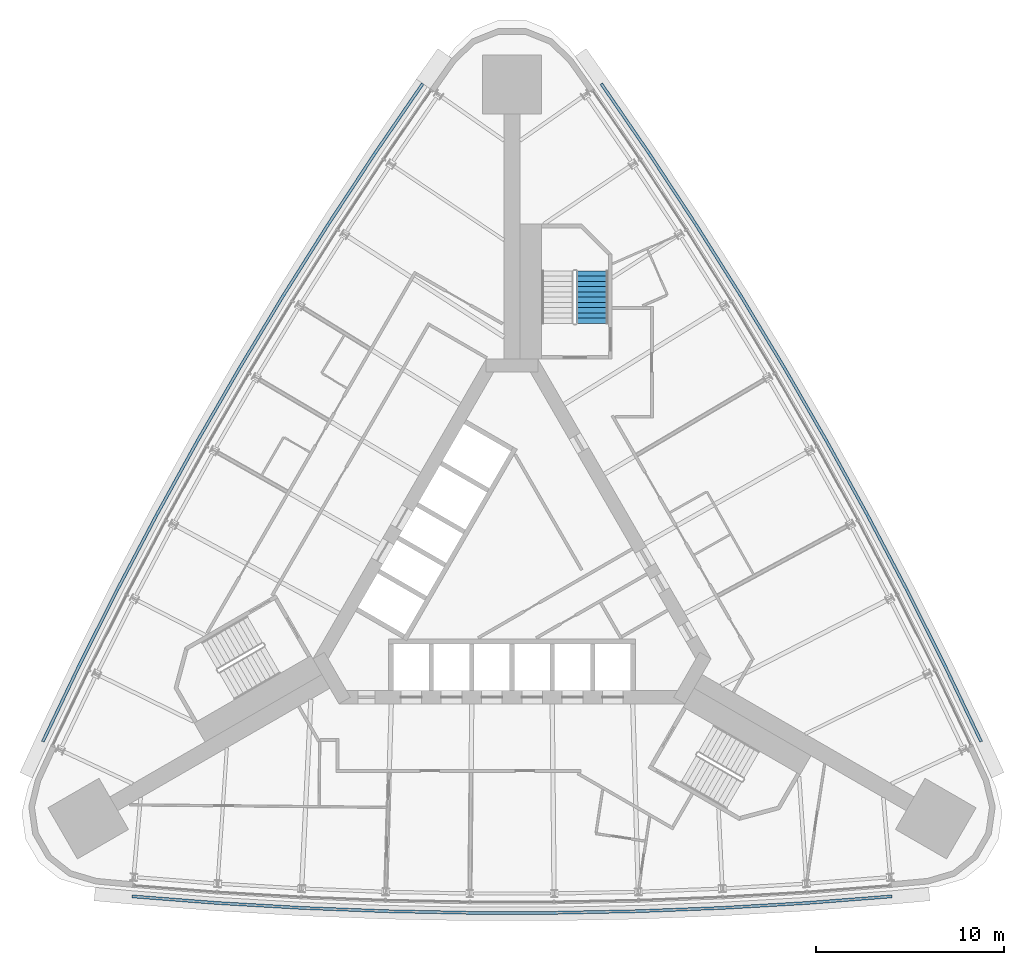
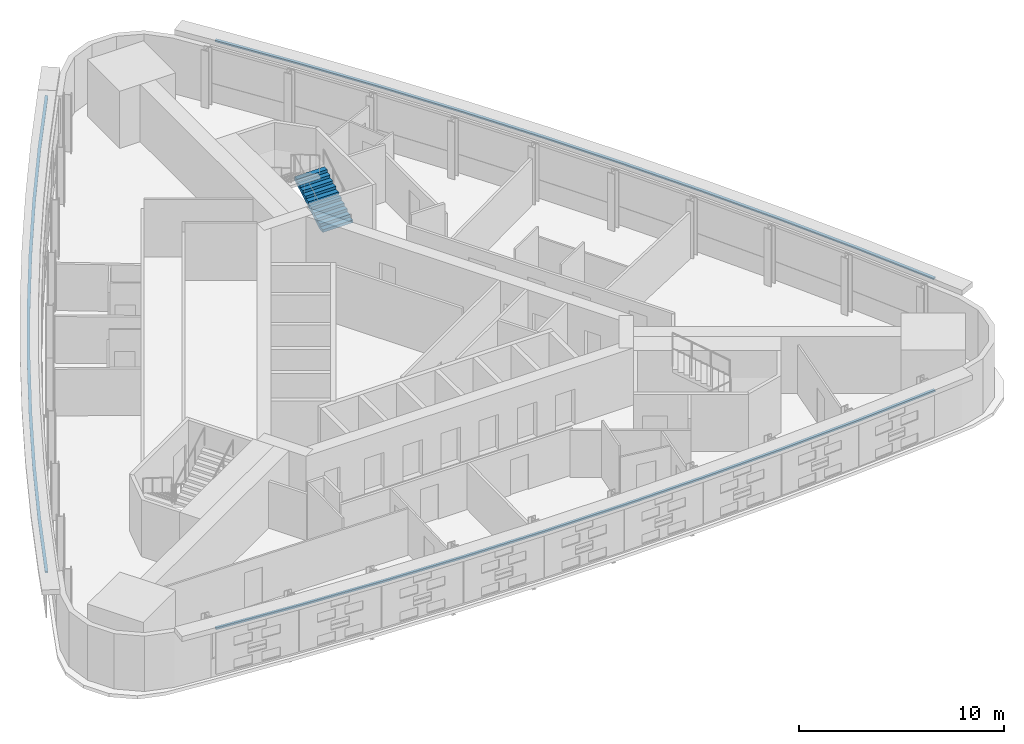
# One storey, part 11 of 13: 3 discrete accessories, 1 stair flight, 1 element without a shape of its own.
"""IFC4 building model written with IfcOpenShell, lengths in metres."""

from ifc_helpers import new_model, si_unit, direction, frame, origin, place, context, subcontext, project, spatial, polyline, outline, extrude, material, type_object, element, aggregate, save


model = new_model("IFC4")

# Units and contexts
model_context = context("Model", 3, precision=1e-05, world=origin(), true_north=direction((0.0, 1.0)))
body_context = subcontext(model_context, "Body", "Model", "MODEL_VIEW")
ifc_project = project(units=[si_unit("LENGTHUNIT", "METRE"), si_unit("AREAUNIT", "SQUARE_METRE"), si_unit("VOLUMEUNIT", "CUBIC_METRE"), si_unit("PLANEANGLEUNIT", "RADIAN"), si_unit("MASSUNIT", "GRAM", prefix="KILO")], contexts=[model_context])

# Site, building, storey
site_placement = place(None, origin())
site = spatial("IfcSite", under=ifc_project, at=site_placement, CompositionType="ELEMENT")
building_placement = place(site_placement, origin())
building = spatial("IfcBuilding", under=site, at=building_placement, Name="Noor Cloister Tower", CompositionType="ELEMENT")
storey_placement = place(building_placement, frame((0.0, 0.0, 79.800048828125)))
storey = spatial("IfcBuildingStorey", under=building, at=storey_placement, Name="L20", CompositionType="ELEMENT", Elevation=79.800048828125)

# Stair, stair flight
ifc_material_1 = material(Name="Concrete C40/50", Category="concrete")
stair_type = type_object("IfcStairType", Name="Exit stair 22 risers", PredefinedType="HALF_TURN_STAIR", material=ifc_material_1)
stair_placement = place(storey_placement, origin())
stair = element("IfcStair", 1, at=stair_placement, inside=storey, type_object=stair_type, Name="Exit stair ST1 L20", PredefinedType="HALF_TURN_STAIR")
ifc_material_2 = material(Name="Concrete C40/50", Category="concrete")
stair_flight_type = type_object("IfcStairFlightType", Name="Exit stair flight", PredefinedType="STRAIGHT", material=ifc_material_2)
stair_flight_placement = place(storey_placement, frame((4.28564453125, 13.3564453125, 0.0), z_axis=(0.0, 0.0, 1.0), x_axis=(0.0, 1.0, 0.0)))
stair_flight = element("IfcStairFlight", 2, at=stair_flight_placement, type_object=stair_flight_type, Name="ST1 flight 1", NumberOfRisers=11, NumberOfTreads=10, PredefinedType="STRAIGHT", RiserHeight=0.163636364, TreadLength=0.28, context=body_context, shape_type="SweptSolid", body=[
    extrude(outline(polyline([(0.0, 0.0), (0.0, 0.16357421875), (0.280029296875, 0.16357421875), (0.280029296875, 0.327392578125), (0.56005859375, 0.327392578125), (0.56005859375, 0.490966796875), (0.840087890625, 0.490966796875), (0.840087890625, 0.654541015625), (1.1201171875, 0.654541015625), (1.1201171875, 0.818115234375), (1.39990234375, 0.818115234375), (1.39990234375, 0.98193359375), (1.679931640625, 0.98193359375), (1.679931640625, 1.1455078125), (1.9599609375, 1.1455078125), (1.9599609375, 1.30908203125), (2.239990234375, 1.30908203125), (2.239990234375, 1.47265625), (2.52001953125, 1.47265625), (2.52001953125, 1.636474609375), (2.800048828125, 1.636474609375), (2.800048828125, 1.800048828125), (2.800048828125, 1.462646484375), (0.297119140625, 0.0), (0.0, 0.0)])), frame((0.0, 0.85009765625, 0.0), z_axis=(0.0, -1.0, 0.0), x_axis=(1.0, 0.0, 0.0)), (0.0, 0.0, 1.0), 1.699951171875),
])
aggregate(stair, [stair_flight])

# Discrete accessories
ifc_material_3 = material(Name="Stainless steel grade 316", Category="steel")
discrete_accessory_type = type_object("IfcDiscreteAccessoryType", Name="Stainless hanger rail", PredefinedType="BRACKET", material=ifc_material_3)
discrete_accessory_1_placement = place(storey_placement, frame((0.0, 0.0, 3.199951171875)))
element("IfcDiscreteAccessory", 3, at=discrete_accessory_1_placement, inside=storey, type_object=discrete_accessory_type, Name="Hanger rail L20", PredefinedType="BRACKET", context=body_context, shape_type="SweptSolid", body=[
    extrude(outline(polyline([(-4.825927734375, 26.189453125), (-7.37548828125, 22.474853515625), (-9.855224609375, 18.706787109375), (-12.26123046875, 14.89111328125), (-14.59228515625, 11.029296875), (-16.84765625, 7.122802734375), (-19.026611328125, 3.173095703125), (-21.128173828125, -0.818359375), (-23.151611328125, -4.849853515625), (-25.09375, -8.915283203125), (-24.94921875, -8.984130859375), (-23.0078125, -4.92041015625), (-20.98583984375, -0.8916015625), (-18.8857421875, 3.09716796875), (-16.708251953125, 7.0439453125), (-14.45458984375, 10.94775390625), (-12.125, 14.806884765625), (-9.720703125, 18.6201171875), (-7.24267578125, 22.385498046875), (-4.694091796875, 26.098876953125), (-4.825927734375, 26.189453125)])), origin(), (0.0, 0.0, 1.0), 0.10009765625),
])
discrete_accessory_2_placement = place(storey_placement, frame((0.0, 0.0, 3.199951171875)))
element("IfcDiscreteAccessory", 4, at=discrete_accessory_2_placement, inside=storey, type_object=discrete_accessory_type, Name="Hanger rail L20", PredefinedType="BRACKET", context=body_context, shape_type="SweptSolid", body=[
    extrude(outline(polyline([(-20.267578125, -17.274169921875), (-15.77587890625, -17.624755859375), (-11.272705078125, -17.888427734375), (-6.765380859375, -18.06396484375), (-2.25537109375, -18.15185546875), (2.25537109375, -18.15185546875), (6.765380859375, -18.06396484375), (11.272705078125, -17.888427734375), (15.77587890625, -17.624755859375), (20.267578125, -17.274169921875), (20.255126953125, -17.11474609375), (15.76513671875, -17.46533203125), (11.26513671875, -17.728515625), (6.7607421875, -17.904052734375), (2.25390625, -17.991943359375), (-2.25390625, -17.991943359375), (-6.7607421875, -17.904052734375), (-11.26513671875, -17.728515625), (-15.76513671875, -17.46533203125), (-20.255126953125, -17.11474609375), (-20.267578125, -17.274169921875)])), origin(), (0.0, 0.0, 1.0), 0.10009765625),
])
discrete_accessory_3_placement = place(storey_placement, frame((0.0, 0.0, 3.199951171875)))
element("IfcDiscreteAccessory", 5, at=discrete_accessory_3_placement, inside=storey, type_object=discrete_accessory_type, Name="Hanger rail L20", PredefinedType="BRACKET", context=body_context, shape_type="SweptSolid", body=[
    extrude(outline(polyline([(25.09375, -8.915283203125), (23.151611328125, -4.849853515625), (21.128173828125, -0.818359375), (19.026611328125, 3.173095703125), (16.84765625, 7.122802734375), (14.59228515625, 11.029296875), (12.26123046875, 14.89111328125), (9.855224609375, 18.706787109375), (7.37548828125, 22.474853515625), (4.825927734375, 26.189453125), (4.694091796875, 26.098876953125), (7.24267578125, 22.385498046875), (9.720703125, 18.6201171875), (12.125, 14.806884765625), (14.45458984375, 10.94775390625), (16.708251953125, 7.0439453125), (18.8857421875, 3.09716796875), (20.98583984375, -0.8916015625), (23.0078125, -4.92041015625), (24.94921875, -8.984130859375), (25.09375, -8.915283203125)])), origin(), (0.0, 0.0, 1.0), 0.10009765625),
])

save(model, "model.ifc")
